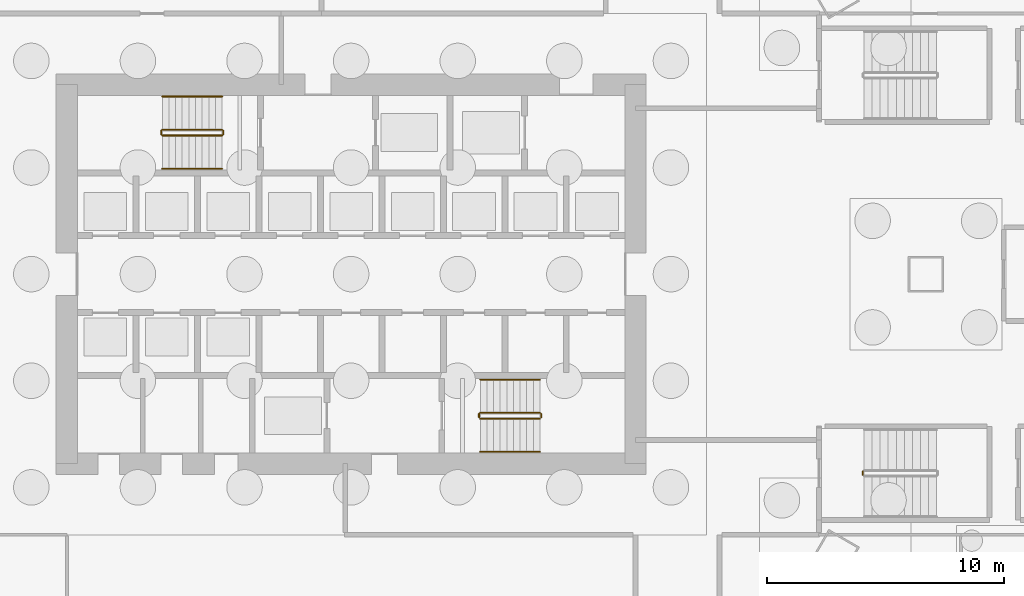
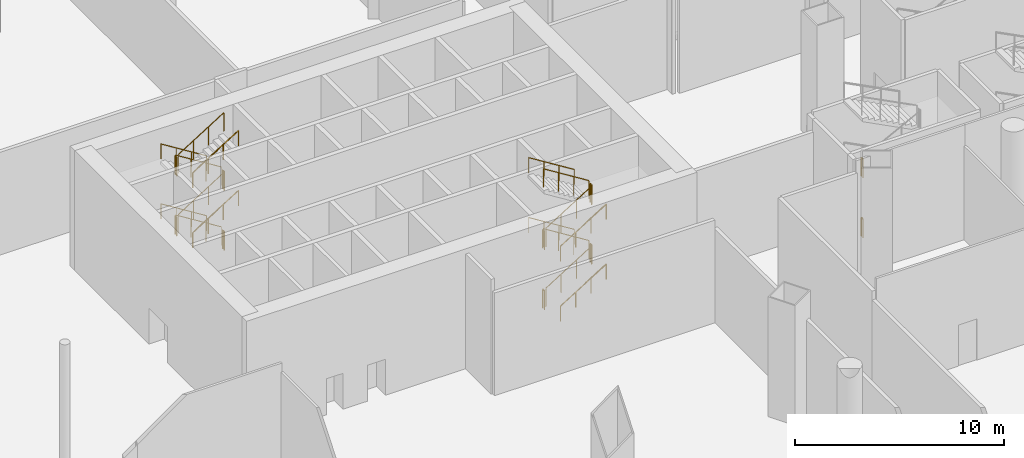
# One storey, part 37 of 41: 26 railings.
"""IFC4 building model written with IfcOpenShell, lengths in metres."""

from ifc_helpers import new_model, si_unit, direction, frame, origin, origin_2d, place, context, subcontext, project, spatial, circle, extrude, material, type_object, element, save


model = new_model("IFC4")

# Units and contexts
model_context = context("Model", 3, precision=1e-05, world=origin(), true_north=direction((0.0, 1.0)))
body_context = subcontext(model_context, "Body", "Model", "MODEL_VIEW")
ifc_project = project(units=[si_unit("LENGTHUNIT", "METRE"), si_unit("AREAUNIT", "SQUARE_METRE"), si_unit("VOLUMEUNIT", "CUBIC_METRE"), si_unit("PLANEANGLEUNIT", "RADIAN"), si_unit("MASSUNIT", "GRAM", prefix="KILO")], contexts=[model_context])

# Site, building, storey
site_placement = place(None, origin())
site = spatial("IfcSite", under=ifc_project, at=site_placement, CompositionType="ELEMENT")
building_placement = place(site_placement, origin())
building = spatial("IfcBuilding", under=site, at=building_placement, Name="Rimbun Link Towers", CompositionType="ELEMENT")
storey_placement = place(building_placement, origin())
storey = spatial("IfcBuildingStorey", under=building, at=storey_placement, Name="L00", CompositionType="ELEMENT", Elevation=0.0)

# Railings
ifc_material_1 = material(Name="Stainless steel grade 316", Category="steel")
railing_type_1 = type_object("IfcRailingType", Name="Stair guard", PredefinedType="GUARDRAIL", material=ifc_material_1)
railing_1_placement = place(storey_placement, frame((-37.199951171875, 6.10009765625, 0.175048828125)))
element("IfcRailing", 1, at=railing_1_placement, inside=storey, type_object=railing_type_1, Name="L00 ST1 stair guard 1", PredefinedType="GUARDRAIL", context=body_context, shape_type="SweptSolid", body=[
    extrude(circle(Radius=0.02392578125, at=origin_2d()), frame((0.0, 0.0, 1.076171875), z_axis=(-0.848007534815, 0.0, 0.529984170421), x_axis=(0.0, -1.0, 0.0)), (0.0, 0.0, 1.0), 2.9716796875),
    extrude(circle(Radius=0.02099609375, at=origin_2d()), origin(), (0.0, 0.0, 1.0), 1.052001953125),
    extrude(circle(Radius=0.02099609375, at=origin_2d()), frame((-0.840087890625, 0.0, 0.52490234375)), (0.0, 0.0, 1.0), 1.052001953125),
    extrude(circle(Radius=0.02099609375, at=origin_2d()), frame((-1.679931640625, 0.0, 1.050048828125)), (0.0, 0.0, 1.0), 1.052001953125),
    extrude(circle(Radius=0.02099609375, at=origin_2d()), frame((-2.52001953125, 0.0, 1.574951171875)), (0.0, 0.0, 1.0), 1.052001953125),
])
railing_2_placement = place(storey_placement, frame((-39.77001953125, 6.050048828125, 1.75)))
element("IfcRailing", 2, at=railing_2_placement, inside=storey, type_object=railing_type_1, Name="L00 ST1 stair guard 2", PredefinedType="GUARDRAIL", context=body_context, shape_type="SweptSolid", body=[
    extrude(circle(Radius=0.02392578125, at=origin_2d()), frame((0.0, 0.0, 1.076171875), z_axis=(0.0, -1.0, 0.0), x_axis=(1.0, 0.0, 0.0)), (0.0, 0.0, 1.0), 0.150146484375),
    extrude(circle(Radius=0.02099609375, at=origin_2d()), origin(), (0.0, 0.0, 1.0), 1.052001953125),
    extrude(circle(Radius=0.02099609375, at=origin_2d()), frame((0.0, -0.150146484375, 0.0)), (0.0, 0.0, 1.0), 1.052001953125),
])
railing_3_placement = place(storey_placement, frame((-39.719970703125, 5.85009765625, 1.925048828125)))
element("IfcRailing", 3, at=railing_3_placement, inside=storey, type_object=railing_type_1, Name="L00 ST1 stair guard 3", PredefinedType="GUARDRAIL", context=body_context, shape_type="SweptSolid", body=[
    extrude(circle(Radius=0.02392578125, at=origin_2d()), frame((0.0, 0.0, 1.076171875), z_axis=(0.848007534815, 0.0, 0.529984170421), x_axis=(0.0, 1.0, 0.0)), (0.0, 0.0, 1.0), 2.9716796875),
    extrude(circle(Radius=0.02099609375, at=origin_2d()), origin(), (0.0, 0.0, 1.0), 1.052001953125),
    extrude(circle(Radius=0.02099609375, at=origin_2d()), frame((0.840087890625, 0.0, 0.52490234375)), (0.0, 0.0, 1.0), 1.052001953125),
    extrude(circle(Radius=0.02099609375, at=origin_2d()), frame((1.679931640625, 0.0, 1.050048828125)), (0.0, 0.0, 1.0), 1.052001953125),
    extrude(circle(Radius=0.02099609375, at=origin_2d()), frame((2.52001953125, 0.0, 1.574951171875)), (0.0, 0.0, 1.0), 1.052001953125),
])
railing_4_placement = place(storey_placement, frame((-37.14990234375, 6.050048828125, 3.5)))
element("IfcRailing", 4, at=railing_4_placement, inside=storey, type_object=railing_type_1, Name="L00 ST1 stair guard 4", PredefinedType="GUARDRAIL", context=body_context, shape_type="SweptSolid", body=[
    extrude(circle(Radius=0.02392578125, at=origin_2d()), frame((0.0, 0.0, 1.076171875), z_axis=(0.0, -1.0, 0.0), x_axis=(1.0, 0.0, 0.0)), (0.0, 0.0, 1.0), 0.150146484375),
    extrude(circle(Radius=0.02099609375, at=origin_2d()), origin(), (0.0, 0.0, 1.0), 1.052001953125),
    extrude(circle(Radius=0.02099609375, at=origin_2d()), frame((0.0, -0.150146484375, 0.0)), (0.0, 0.0, 1.0), 1.052001953125),
])
railing_5_placement = place(storey_placement, frame((-37.199951171875, 6.10009765625, 3.675048828125)))
element("IfcRailing", 5, at=railing_5_placement, inside=storey, type_object=railing_type_1, Name="L00 ST1 stair guard 5", PredefinedType="GUARDRAIL", context=body_context, shape_type="SweptSolid", body=[
    extrude(circle(Radius=0.02392578125, at=origin_2d()), frame((0.0, 0.0, 1.076171875), z_axis=(-0.848007534815, 0.0, 0.529984170421), x_axis=(0.0, -1.0, 0.0)), (0.0, 0.0, 1.0), 2.9716796875),
    extrude(circle(Radius=0.02099609375, at=origin_2d()), origin(), (0.0, 0.0, 1.0), 1.052001953125),
    extrude(circle(Radius=0.02099609375, at=origin_2d()), frame((-0.840087890625, 0.0, 0.52490234375)), (0.0, 0.0, 1.0), 1.052001953125),
    extrude(circle(Radius=0.02099609375, at=origin_2d()), frame((-1.679931640625, 0.0, 1.050048828125)), (0.0, 0.0, 1.0), 1.052001953125),
    extrude(circle(Radius=0.02099609375, at=origin_2d()), frame((-2.52001953125, 0.0, 1.574951171875)), (0.0, 0.0, 1.0), 1.052001953125),
])
railing_6_placement = place(storey_placement, frame((-39.77001953125, 6.050048828125, 5.25)))
element("IfcRailing", 6, at=railing_6_placement, inside=storey, type_object=railing_type_1, Name="L00 ST1 stair guard 6", PredefinedType="GUARDRAIL", context=body_context, shape_type="SweptSolid", body=[
    extrude(circle(Radius=0.02392578125, at=origin_2d()), frame((0.0, 0.0, 1.076171875), z_axis=(0.0, -1.0, 0.0), x_axis=(1.0, 0.0, 0.0)), (0.0, 0.0, 1.0), 0.150146484375),
    extrude(circle(Radius=0.02099609375, at=origin_2d()), origin(), (0.0, 0.0, 1.0), 1.052001953125),
    extrude(circle(Radius=0.02099609375, at=origin_2d()), frame((0.0, -0.150146484375, 0.0)), (0.0, 0.0, 1.0), 1.052001953125),
])
railing_7_placement = place(storey_placement, frame((-39.719970703125, 5.85009765625, 5.425048828125)))
element("IfcRailing", 7, at=railing_7_placement, inside=storey, type_object=railing_type_1, Name="L00 ST1 stair guard 7", PredefinedType="GUARDRAIL", context=body_context, shape_type="SweptSolid", body=[
    extrude(circle(Radius=0.02392578125, at=origin_2d()), frame((0.0, 0.0, 1.076171875), z_axis=(0.848007534815, 0.0, 0.529984170421), x_axis=(0.0, 1.0, 0.0)), (0.0, 0.0, 1.0), 2.9716796875),
    extrude(circle(Radius=0.02099609375, at=origin_2d()), origin(), (0.0, 0.0, 1.0), 1.052001953125),
    extrude(circle(Radius=0.02099609375, at=origin_2d()), frame((0.840087890625, 0.0, 0.52490234375)), (0.0, 0.0, 1.0), 1.052001953125),
    extrude(circle(Radius=0.02099609375, at=origin_2d()), frame((1.679931640625, 0.0, 1.050048828125)), (0.0, 0.0, 1.0), 1.052001953125),
    extrude(circle(Radius=0.02099609375, at=origin_2d()), frame((2.52001953125, 0.0, 1.574951171875)), (0.0, 0.0, 1.0), 1.052001953125),
])
railing_8_placement = place(storey_placement, frame((-37.14990234375, 6.050048828125, 0.0)))
element("IfcRailing", 8, at=railing_8_placement, inside=storey, type_object=railing_type_1, Name="L00 ST1 stair guard 8", PredefinedType="GUARDRAIL", context=body_context, shape_type="SweptSolid", body=[
    extrude(circle(Radius=0.02392578125, at=origin_2d()), frame((0.0, 0.0, 1.076171875), z_axis=(0.0, -1.0, 0.0), x_axis=(1.0, 0.0, 0.0)), (0.0, 0.0, 1.0), 0.150146484375),
    extrude(circle(Radius=0.02099609375, at=origin_2d()), origin(), (0.0, 0.0, 1.0), 1.052001953125),
    extrude(circle(Radius=0.02099609375, at=origin_2d()), frame((0.0, -0.150146484375, 0.0)), (0.0, 0.0, 1.0), 1.052001953125),
])
railing_9_placement = place(storey_placement, frame((-26.300048828125, -6.10009765625, 0.175048828125)))
element("IfcRailing", 9, at=railing_9_placement, inside=storey, type_object=railing_type_1, Name="L00 ST2 stair guard 1", PredefinedType="GUARDRAIL", context=body_context, shape_type="SweptSolid", body=[
    extrude(circle(Radius=0.02392578125, at=origin_2d()), frame((0.0, 0.0, 1.076171875), z_axis=(0.848007534815, 0.0, 0.529984170421), x_axis=(0.0, 1.0, 0.0)), (0.0, 0.0, 1.0), 2.9716796875),
    extrude(circle(Radius=0.02099609375, at=origin_2d()), origin(), (0.0, 0.0, 1.0), 1.052001953125),
    extrude(circle(Radius=0.02099609375, at=origin_2d()), frame((0.840087890625, 0.0, 0.52490234375)), (0.0, 0.0, 1.0), 1.052001953125),
    extrude(circle(Radius=0.02099609375, at=origin_2d()), frame((1.679931640625, 0.0, 1.050048828125)), (0.0, 0.0, 1.0), 1.052001953125),
    extrude(circle(Radius=0.02099609375, at=origin_2d()), frame((2.52001953125, 0.0, 1.574951171875)), (0.0, 0.0, 1.0), 1.052001953125),
])
railing_10_placement = place(storey_placement, frame((-23.72998046875, -6.050048828125, 1.75)))
element("IfcRailing", 10, at=railing_10_placement, inside=storey, type_object=railing_type_1, Name="L00 ST2 stair guard 2", PredefinedType="GUARDRAIL", context=body_context, shape_type="SweptSolid", body=[
    extrude(circle(Radius=0.02392578125, at=origin_2d()), frame((0.0, 0.0, 1.076171875), z_axis=(0.0, 1.0, 0.0), x_axis=(-1.0, 0.0, 0.0)), (0.0, 0.0, 1.0), 0.150146484375),
    extrude(circle(Radius=0.02099609375, at=origin_2d()), origin(), (0.0, 0.0, 1.0), 1.052001953125),
    extrude(circle(Radius=0.02099609375, at=origin_2d()), frame((0.0, 0.150146484375, 0.0)), (0.0, 0.0, 1.0), 1.052001953125),
])
railing_11_placement = place(storey_placement, frame((-23.780029296875, -5.85009765625, 1.925048828125)))
element("IfcRailing", 11, at=railing_11_placement, inside=storey, type_object=railing_type_1, Name="L00 ST2 stair guard 3", PredefinedType="GUARDRAIL", context=body_context, shape_type="SweptSolid", body=[
    extrude(circle(Radius=0.02392578125, at=origin_2d()), frame((0.0, 0.0, 1.076171875), z_axis=(-0.848007534815, 0.0, 0.529984170421), x_axis=(0.0, -1.0, 0.0)), (0.0, 0.0, 1.0), 2.9716796875),
    extrude(circle(Radius=0.02099609375, at=origin_2d()), origin(), (0.0, 0.0, 1.0), 1.052001953125),
    extrude(circle(Radius=0.02099609375, at=origin_2d()), frame((-0.840087890625, 0.0, 0.52490234375)), (0.0, 0.0, 1.0), 1.052001953125),
    extrude(circle(Radius=0.02099609375, at=origin_2d()), frame((-1.679931640625, 0.0, 1.050048828125)), (0.0, 0.0, 1.0), 1.052001953125),
    extrude(circle(Radius=0.02099609375, at=origin_2d()), frame((-2.52001953125, 0.0, 1.574951171875)), (0.0, 0.0, 1.0), 1.052001953125),
])
railing_12_placement = place(storey_placement, frame((-26.35009765625, -6.050048828125, 3.5)))
element("IfcRailing", 12, at=railing_12_placement, inside=storey, type_object=railing_type_1, Name="L00 ST2 stair guard 4", PredefinedType="GUARDRAIL", context=body_context, shape_type="SweptSolid", body=[
    extrude(circle(Radius=0.02392578125, at=origin_2d()), frame((0.0, 0.0, 1.076171875), z_axis=(0.0, 1.0, 0.0), x_axis=(-1.0, 0.0, 0.0)), (0.0, 0.0, 1.0), 0.150146484375),
    extrude(circle(Radius=0.02099609375, at=origin_2d()), origin(), (0.0, 0.0, 1.0), 1.052001953125),
    extrude(circle(Radius=0.02099609375, at=origin_2d()), frame((0.0, 0.150146484375, 0.0)), (0.0, 0.0, 1.0), 1.052001953125),
])
railing_13_placement = place(storey_placement, frame((-26.300048828125, -6.10009765625, 3.675048828125)))
element("IfcRailing", 13, at=railing_13_placement, inside=storey, type_object=railing_type_1, Name="L00 ST2 stair guard 5", PredefinedType="GUARDRAIL", context=body_context, shape_type="SweptSolid", body=[
    extrude(circle(Radius=0.02392578125, at=origin_2d()), frame((0.0, 0.0, 1.076171875), z_axis=(0.848007534815, 0.0, 0.529984170421), x_axis=(0.0, 1.0, 0.0)), (0.0, 0.0, 1.0), 2.9716796875),
    extrude(circle(Radius=0.02099609375, at=origin_2d()), origin(), (0.0, 0.0, 1.0), 1.052001953125),
    extrude(circle(Radius=0.02099609375, at=origin_2d()), frame((0.840087890625, 0.0, 0.52490234375)), (0.0, 0.0, 1.0), 1.052001953125),
    extrude(circle(Radius=0.02099609375, at=origin_2d()), frame((1.679931640625, 0.0, 1.050048828125)), (0.0, 0.0, 1.0), 1.052001953125),
    extrude(circle(Radius=0.02099609375, at=origin_2d()), frame((2.52001953125, 0.0, 1.574951171875)), (0.0, 0.0, 1.0), 1.052001953125),
])
railing_14_placement = place(storey_placement, frame((-23.72998046875, -6.050048828125, 5.25)))
element("IfcRailing", 14, at=railing_14_placement, inside=storey, type_object=railing_type_1, Name="L00 ST2 stair guard 6", PredefinedType="GUARDRAIL", context=body_context, shape_type="SweptSolid", body=[
    extrude(circle(Radius=0.02392578125, at=origin_2d()), frame((0.0, 0.0, 1.076171875), z_axis=(0.0, 1.0, 0.0), x_axis=(-1.0, 0.0, 0.0)), (0.0, 0.0, 1.0), 0.150146484375),
    extrude(circle(Radius=0.02099609375, at=origin_2d()), origin(), (0.0, 0.0, 1.0), 1.052001953125),
    extrude(circle(Radius=0.02099609375, at=origin_2d()), frame((0.0, 0.150146484375, 0.0)), (0.0, 0.0, 1.0), 1.052001953125),
])
railing_15_placement = place(storey_placement, frame((-23.780029296875, -5.85009765625, 5.425048828125)))
element("IfcRailing", 15, at=railing_15_placement, inside=storey, type_object=railing_type_1, Name="L00 ST2 stair guard 7", PredefinedType="GUARDRAIL", context=body_context, shape_type="SweptSolid", body=[
    extrude(circle(Radius=0.02392578125, at=origin_2d()), frame((0.0, 0.0, 1.076171875), z_axis=(-0.848007534815, 0.0, 0.529984170421), x_axis=(0.0, -1.0, 0.0)), (0.0, 0.0, 1.0), 2.9716796875),
    extrude(circle(Radius=0.02099609375, at=origin_2d()), origin(), (0.0, 0.0, 1.0), 1.052001953125),
    extrude(circle(Radius=0.02099609375, at=origin_2d()), frame((-0.840087890625, 0.0, 0.52490234375)), (0.0, 0.0, 1.0), 1.052001953125),
    extrude(circle(Radius=0.02099609375, at=origin_2d()), frame((-1.679931640625, 0.0, 1.050048828125)), (0.0, 0.0, 1.0), 1.052001953125),
    extrude(circle(Radius=0.02099609375, at=origin_2d()), frame((-2.52001953125, 0.0, 1.574951171875)), (0.0, 0.0, 1.0), 1.052001953125),
])
for number, where, name in (
    (16, (-26.35009765625, -6.050048828125, 0.0), "L00 ST2 stair guard 8"),
    (17, (-10.14990234375, -8.47509765625, 3.5), "L00 PS1 stair guard 4"),
    (18, (-10.14990234375, -8.47509765625, 0.0), "L00 PS1 stair guard 8"),
):
    element("IfcRailing", number, at=place(storey_placement, frame(where)), inside=storey, type_object=railing_type_1, Name=name, PredefinedType="GUARDRAIL", context=body_context, shape_type="SweptSolid", body=[
        extrude(circle(Radius=0.02392578125, at=origin_2d()), frame((0.0, 0.0, 1.076171875), z_axis=(0.0, 1.0, 0.0), x_axis=(-1.0, 0.0, 0.0)), (0.0, 0.0, 1.0), 0.150146484375),
        extrude(circle(Radius=0.02099609375, at=origin_2d()), origin(), (0.0, 0.0, 1.0), 1.052001953125),
        extrude(circle(Radius=0.02099609375, at=origin_2d()), frame((0.0, 0.150146484375, 0.0)), (0.0, 0.0, 1.0), 1.052001953125),
    ])
ifc_material_2 = material(Name="Stainless steel grade 316", Category="steel")
railing_type_2 = type_object("IfcRailingType", Name="Stair handrail", PredefinedType="HANDRAIL", material=ifc_material_2)
railing_16_placement = place(storey_placement, frame((-37.199951171875, 7.5, 0.175048828125)))
element("IfcRailing", 19, at=railing_16_placement, inside=storey, type_object=railing_type_2, Name="L00 ST1 stair handrail 1", PredefinedType="HANDRAIL", context=body_context, shape_type="SweptSolid", body=[
    extrude(circle(Radius=0.02392578125, at=origin_2d()), frame((0.0, 0.0, 0.8759765625), z_axis=(-0.848007534815, 0.0, 0.529984170421), x_axis=(0.0, -1.0, 0.0)), (0.0, 0.0, 1.0), 2.9716796875),
    extrude(circle(Radius=0.02099609375, at=origin_2d()), origin(), (0.0, 0.0, 1.0), 0.851806640625),
    extrude(circle(Radius=0.02099609375, at=origin_2d()), frame((-0.840087890625, 0.0, 0.52490234375)), (0.0, 0.0, 1.0), 0.851806640625),
    extrude(circle(Radius=0.02099609375, at=origin_2d()), frame((-1.679931640625, 0.0, 1.050048828125)), (0.0, 0.0, 1.0), 0.851806640625),
    extrude(circle(Radius=0.02099609375, at=origin_2d()), frame((-2.52001953125, 0.0, 1.574951171875)), (0.0, 0.0, 1.0), 0.851806640625),
])
railing_17_placement = place(storey_placement, frame((-39.719970703125, 4.449951171875, 1.925048828125)))
element("IfcRailing", 20, at=railing_17_placement, inside=storey, type_object=railing_type_2, Name="L00 ST1 stair handrail 2", PredefinedType="HANDRAIL", context=body_context, shape_type="SweptSolid", body=[
    extrude(circle(Radius=0.02392578125, at=origin_2d()), frame((0.0, 0.0, 0.8759765625), z_axis=(0.848007534815, 0.0, 0.529984170421), x_axis=(0.0, 1.0, 0.0)), (0.0, 0.0, 1.0), 2.9716796875),
    extrude(circle(Radius=0.02099609375, at=origin_2d()), origin(), (0.0, 0.0, 1.0), 0.851806640625),
    extrude(circle(Radius=0.02099609375, at=origin_2d()), frame((0.840087890625, 0.0, 0.52490234375)), (0.0, 0.0, 1.0), 0.851806640625),
    extrude(circle(Radius=0.02099609375, at=origin_2d()), frame((1.679931640625, 0.0, 1.050048828125)), (0.0, 0.0, 1.0), 0.851806640625),
    extrude(circle(Radius=0.02099609375, at=origin_2d()), frame((2.52001953125, 0.0, 1.574951171875)), (0.0, 0.0, 1.0), 0.851806640625),
])
railing_18_placement = place(storey_placement, frame((-37.199951171875, 7.5, 3.675048828125)))
element("IfcRailing", 21, at=railing_18_placement, inside=storey, type_object=railing_type_2, Name="L00 ST1 stair handrail 3", PredefinedType="HANDRAIL", context=body_context, shape_type="SweptSolid", body=[
    extrude(circle(Radius=0.02392578125, at=origin_2d()), frame((0.0, 0.0, 0.8759765625), z_axis=(-0.848007534815, 0.0, 0.529984170421), x_axis=(0.0, -1.0, 0.0)), (0.0, 0.0, 1.0), 2.9716796875),
    extrude(circle(Radius=0.02099609375, at=origin_2d()), origin(), (0.0, 0.0, 1.0), 0.851806640625),
    extrude(circle(Radius=0.02099609375, at=origin_2d()), frame((-0.840087890625, 0.0, 0.52490234375)), (0.0, 0.0, 1.0), 0.851806640625),
    extrude(circle(Radius=0.02099609375, at=origin_2d()), frame((-1.679931640625, 0.0, 1.050048828125)), (0.0, 0.0, 1.0), 0.851806640625),
    extrude(circle(Radius=0.02099609375, at=origin_2d()), frame((-2.52001953125, 0.0, 1.574951171875)), (0.0, 0.0, 1.0), 0.851806640625),
])
for number, where, name in (
    (22, (-39.719970703125, 4.449951171875, 5.425048828125), "L00 ST1 stair handrail 4"),
    (23, (-26.300048828125, -7.5, 0.175048828125), "L00 ST2 stair handrail 1"),
):
    element("IfcRailing", number, at=place(storey_placement, frame(where)), inside=storey, type_object=railing_type_2, Name=name, PredefinedType="HANDRAIL", context=body_context, shape_type="SweptSolid", body=[
        extrude(circle(Radius=0.02392578125, at=origin_2d()), frame((0.0, 0.0, 0.8759765625), z_axis=(0.848007534815, 0.0, 0.529984170421), x_axis=(0.0, 1.0, 0.0)), (0.0, 0.0, 1.0), 2.9716796875),
        extrude(circle(Radius=0.02099609375, at=origin_2d()), origin(), (0.0, 0.0, 1.0), 0.851806640625),
        extrude(circle(Radius=0.02099609375, at=origin_2d()), frame((0.840087890625, 0.0, 0.52490234375)), (0.0, 0.0, 1.0), 0.851806640625),
        extrude(circle(Radius=0.02099609375, at=origin_2d()), frame((1.679931640625, 0.0, 1.050048828125)), (0.0, 0.0, 1.0), 0.851806640625),
        extrude(circle(Radius=0.02099609375, at=origin_2d()), frame((2.52001953125, 0.0, 1.574951171875)), (0.0, 0.0, 1.0), 0.851806640625),
    ])
railing_19_placement = place(storey_placement, frame((-23.780029296875, -4.449951171875, 1.925048828125)))
element("IfcRailing", 24, at=railing_19_placement, inside=storey, type_object=railing_type_2, Name="L00 ST2 stair handrail 2", PredefinedType="HANDRAIL", context=body_context, shape_type="SweptSolid", body=[
    extrude(circle(Radius=0.02392578125, at=origin_2d()), frame((0.0, 0.0, 0.8759765625), z_axis=(-0.848007534815, 0.0, 0.529984170421), x_axis=(0.0, -1.0, 0.0)), (0.0, 0.0, 1.0), 2.9716796875),
    extrude(circle(Radius=0.02099609375, at=origin_2d()), origin(), (0.0, 0.0, 1.0), 0.851806640625),
    extrude(circle(Radius=0.02099609375, at=origin_2d()), frame((-0.840087890625, 0.0, 0.52490234375)), (0.0, 0.0, 1.0), 0.851806640625),
    extrude(circle(Radius=0.02099609375, at=origin_2d()), frame((-1.679931640625, 0.0, 1.050048828125)), (0.0, 0.0, 1.0), 0.851806640625),
    extrude(circle(Radius=0.02099609375, at=origin_2d()), frame((-2.52001953125, 0.0, 1.574951171875)), (0.0, 0.0, 1.0), 0.851806640625),
])
railing_20_placement = place(storey_placement, frame((-26.300048828125, -7.5, 3.675048828125)))
element("IfcRailing", 25, at=railing_20_placement, inside=storey, type_object=railing_type_2, Name="L00 ST2 stair handrail 3", PredefinedType="HANDRAIL", context=body_context, shape_type="SweptSolid", body=[
    extrude(circle(Radius=0.02392578125, at=origin_2d()), frame((0.0, 0.0, 0.8759765625), z_axis=(0.848007534815, 0.0, 0.529984170421), x_axis=(0.0, 1.0, 0.0)), (0.0, 0.0, 1.0), 2.9716796875),
    extrude(circle(Radius=0.02099609375, at=origin_2d()), origin(), (0.0, 0.0, 1.0), 0.851806640625),
    extrude(circle(Radius=0.02099609375, at=origin_2d()), frame((0.840087890625, 0.0, 0.52490234375)), (0.0, 0.0, 1.0), 0.851806640625),
    extrude(circle(Radius=0.02099609375, at=origin_2d()), frame((1.679931640625, 0.0, 1.050048828125)), (0.0, 0.0, 1.0), 0.851806640625),
    extrude(circle(Radius=0.02099609375, at=origin_2d()), frame((2.52001953125, 0.0, 1.574951171875)), (0.0, 0.0, 1.0), 0.851806640625),
])
railing_21_placement = place(storey_placement, frame((-23.780029296875, -4.449951171875, 5.425048828125)))
element("IfcRailing", 26, at=railing_21_placement, inside=storey, type_object=railing_type_2, Name="L00 ST2 stair handrail 4", PredefinedType="HANDRAIL", context=body_context, shape_type="SweptSolid", body=[
    extrude(circle(Radius=0.02392578125, at=origin_2d()), frame((0.0, 0.0, 0.8759765625), z_axis=(-0.848007534815, 0.0, 0.529984170421), x_axis=(0.0, -1.0, 0.0)), (0.0, 0.0, 1.0), 2.9716796875),
    extrude(circle(Radius=0.02099609375, at=origin_2d()), origin(), (0.0, 0.0, 1.0), 0.851806640625),
    extrude(circle(Radius=0.02099609375, at=origin_2d()), frame((-0.840087890625, 0.0, 0.52490234375)), (0.0, 0.0, 1.0), 0.851806640625),
    extrude(circle(Radius=0.02099609375, at=origin_2d()), frame((-1.679931640625, 0.0, 1.050048828125)), (0.0, 0.0, 1.0), 0.851806640625),
    extrude(circle(Radius=0.02099609375, at=origin_2d()), frame((-2.52001953125, 0.0, 1.574951171875)), (0.0, 0.0, 1.0), 0.851806640625),
])

save(model, "model.ifc")
